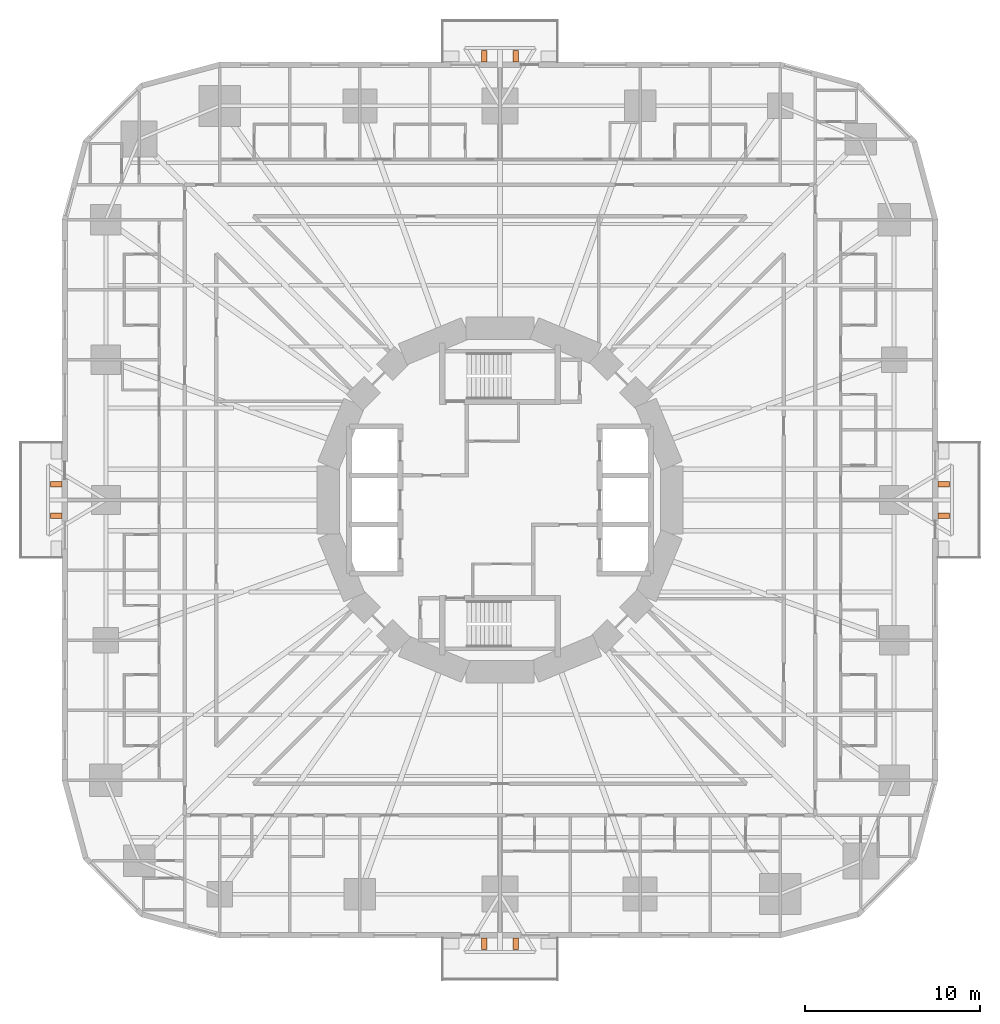
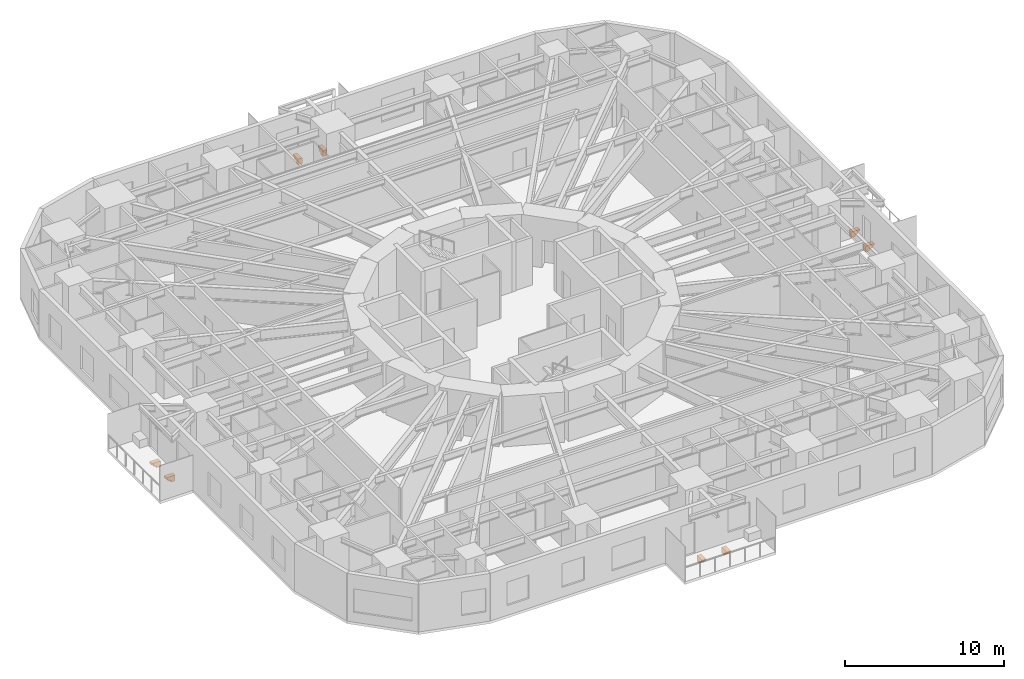
# One storey, part 14 of 14: 8 proxies.
"""IFC4 building model written with IfcOpenShell, lengths in metres."""

from ifc_helpers import new_model, si_unit, direction, frame, origin, place, context, subcontext, project, spatial, polyline, outline, extrude, material, type_object, element, save


model = new_model("IFC4")

# Units and contexts
model_context = context("Model", 3, precision=1e-05, world=origin(), true_north=direction((0.0, 1.0)))
body_context = subcontext(model_context, "Body", "Model", "MODEL_VIEW")
ifc_project = project(units=[si_unit("LENGTHUNIT", "METRE"), si_unit("AREAUNIT", "SQUARE_METRE"), si_unit("VOLUMEUNIT", "CUBIC_METRE"), si_unit("PLANEANGLEUNIT", "RADIAN"), si_unit("MASSUNIT", "GRAM", prefix="KILO")], contexts=[model_context])

# Site, building, storey
site_placement = place(None, origin())
site = spatial("IfcSite", under=ifc_project, at=site_placement, CompositionType="ELEMENT")
building_placement = place(site_placement, origin())
building = spatial("IfcBuilding", under=site, at=building_placement, Name="Nakasero Lantern House", CompositionType="ELEMENT")
storey_placement = place(building_placement, frame((0.0, 0.0, 39.10009765625)))
storey = spatial("IfcBuildingStorey", under=building, at=storey_placement, Name="L09", CompositionType="ELEMENT", Elevation=39.10009765625)

# Proxies
ifc_material = material(Name="Concrete C40/50 precast", Category="concrete")
building_element_proxy_type = type_object("IfcBuildingElementProxyType", Name="Balcony bracket 300", PredefinedType="USERDEFINED", material=ifc_material)
for number, where, z_axis, x_axis, name in (
    (1, (25.0, -0.89990234375, -0.2001953125), (0.0, 0.0, 1.0), (1.0, 0.0, 0.0), "Balcony bracket L09 0A"),
    (2, (25.0, 0.89990234375, -0.2001953125), (0.0, 0.0, 1.0), (1.0, 0.0, 0.0), "Balcony bracket L09 0B"),
    (3, (0.89990234375, 25.0, -0.2001953125), (0.0, 0.0, 1.0), (0.0, 1.0, 0.0), "Balcony bracket L09 1A"),
    (4, (-0.89990234375, 25.0, -0.2001953125), (0.0, 0.0, 1.0), (0.0, 1.0, 0.0), "Balcony bracket L09 1B"),
    (5, (-25.0, 0.89990234375, -0.2001953125), (0.0, 0.0, 1.0), (-1.0, 0.0, 0.0), "Balcony bracket L09 2A"),
    (6, (-25.0, -0.89990234375, -0.2001953125), (0.0, 0.0, 1.0), (-1.0, 0.0, 0.0), "Balcony bracket L09 2B"),
    (7, (-0.89990234375, -25.0, -0.2001953125), (0.0, 0.0, 1.0), (0.0, -1.0, 0.0), "Balcony bracket L09 3A"),
    (8, (0.89990234375, -25.0, -0.2001953125), (0.0, 0.0, 1.0), (0.0, -1.0, 0.0), "Balcony bracket L09 3B"),
):
    element("IfcBuildingElementProxy", number, at=place(storey_placement, frame(where, z_axis=z_axis, x_axis=x_axis)), inside=storey, type_object=building_element_proxy_type, Name=name, ObjectType="BALCONY BRACKET", PredefinedType="USERDEFINED", context=body_context, shape_type="SweptSolid", body=[
        extrude(outline(polyline([(0.0, 0.0), (0.64990234375, 0.0), (0.64990234375, -0.1201171875), (0.5, -0.1201171875), (0.5, -0.280029296875), (0.300048828125, -0.280029296875), (0.300048828125, -0.43994140625), (0.0, -0.43994140625), (0.0, 0.0)])), frame((0.0, 0.14990234375, 0.0), z_axis=(0.0, -1.0, 0.0), x_axis=(1.0, 0.0, 0.0)), (0.0, 0.0, 1.0), 0.300048828125),
    ])

save(model, "model.ifc")
